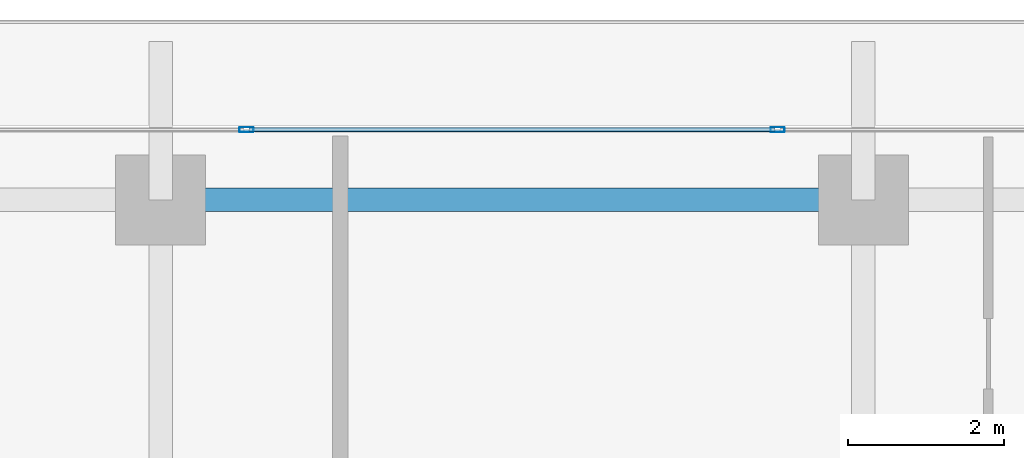
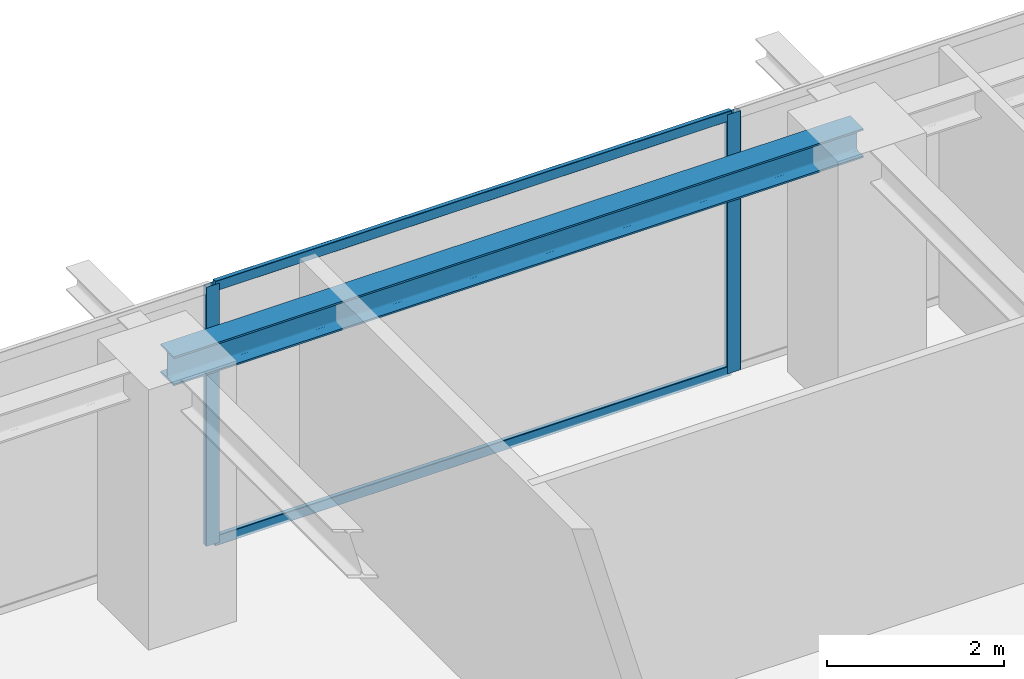
# One storey, part 20 of 36: 4 members, 1 beam, 1 element without a shape of its own.
"""IFC4 building model written with IfcOpenShell, lengths in metres."""

import ifcopenshell
import ifcopenshell.guid

model = None  # the IFC model being written
_history = None  # IfcOwnerHistory: only IFC2X3 demands one
_inside = {}  # id of a spatial element -> (the spatial element, [elements in it])
_under = {}  # id of a project, library or spatial element -> (it, [spatial elements below it])
_declared = {}  # id of a project -> (the project, [libraries it declares])
_typed = {}  # id of a type object -> (the type object, [elements of that type])
_made_of = {}  # id of a material, layer set ... -> (it, [elements and type objects made of it])


def new_model(schema):
    """Start an empty IFC model of exactly this schema.

    Asked for "IFC4X3", IfcOpenShell would pick the latest addendum, in which some entities
    have other attributes; the version numbers below select the first issue.
    IFC2X3 requires an IfcOwnerHistory on every rooted entity: one is made here for all.
    """
    global model, _history
    if schema == "IFC4X3":
        model = ifcopenshell.file(schema_version=(4, 3, 0, 0))
    else:
        model = ifcopenshell.file(schema=schema)
    _inside.clear()
    _under.clear()
    _declared.clear()
    _typed.clear()
    _made_of.clear()
    _history = None
    if model.schema == "IFC2X3":
        org = make("IfcOrganization", Name="unknown")
        user = make(
            "IfcPersonAndOrganization",
            ThePerson=make("IfcPerson", FamilyName="unknown"),
            TheOrganization=org,
        )
        app = make(
            "IfcApplication",
            ApplicationDeveloper=org,
            Version="unknown",
            ApplicationFullName="unknown",
            ApplicationIdentifier="unknown",
        )
        _history = make(
            "IfcOwnerHistory",
            OwningUser=user,
            OwningApplication=app,
            ChangeAction="ADDED",
            CreationDate=0,
        )
    return model


def make(cls, **values):
    """One entity of the class cls with the attributes given. An attribute that is None is left unset."""
    return model.create_entity(
        cls, **{name: value for name, value in values.items() if value is not None}
    )


def rooted(cls, **values):
    """An entity with a GlobalId (a new one), such as an element, a storey or a relation."""
    return make(cls, GlobalId=ifcopenshell.guid.new(), OwnerHistory=_history, **values)


def si_unit(unit_type, name, prefix=None):
    """IfcSIUnit, for example si_unit("LENGTHUNIT", "METRE", prefix="MILLI")."""
    return make("IfcSIUnit", UnitType=unit_type, Prefix=prefix, Name=name)


def assignment(units):
    """IfcUnitAssignment: the units of a project."""
    return None if units is None else make("IfcUnitAssignment", Units=units)


def point(xyz):
    """IfcCartesianPoint."""
    return None if xyz is None else make("IfcCartesianPoint", Coordinates=xyz)


def direction(xyz):
    """IfcDirection."""
    return None if xyz is None else make("IfcDirection", DirectionRatios=xyz)


def frame(location, z_axis=None, x_axis=None):
    """IfcAxis2Placement3D, a coordinate frame: its origin and axes. An axis left out is left unset."""
    return make(
        "IfcAxis2Placement3D",
        Location=point(location),
        Axis=direction(z_axis),
        RefDirection=direction(x_axis),
    )


def frame_2d(location, x_axis=None):
    """IfcAxis2Placement2D, a coordinate frame in the plane: its origin and x axis."""
    return make(
        "IfcAxis2Placement2D", Location=point(location), RefDirection=direction(x_axis)
    )


def origin():
    """The frame at (0, 0, 0) with its axes left unset."""
    return frame((0.0, 0.0, 0.0))


def origin_2d():
    """The frame at (0, 0) in the plane with its x axis left unset."""
    return frame_2d((0.0, 0.0))


def place(relative_to, where):
    """IfcLocalPlacement: puts the frame where relative to a parent placement (None: the world)."""
    return make(
        "IfcLocalPlacement", PlacementRelTo=relative_to, RelativePlacement=where
    )


def context(
    kind, dimensions, precision=None, world=None, true_north=None, identifier=None
):
    """IfcGeometricRepresentationContext, for example the 3D "Model" context."""
    return make(
        "IfcGeometricRepresentationContext",
        ContextIdentifier=identifier,
        ContextType=kind,
        CoordinateSpaceDimension=dimensions,
        Precision=precision,
        WorldCoordinateSystem=world,
        TrueNorth=true_north,
    )


def subcontext(parent, identifier, kind, view, scale=None):
    """IfcGeometricRepresentationSubContext, for example "Body" below "Model"."""
    return make(
        "IfcGeometricRepresentationSubContext",
        ContextIdentifier=identifier,
        ContextType=kind,
        ParentContext=parent,
        TargetScale=scale,
        TargetView=view,
    )


def project(units=None, contexts=None):
    """IfcProject with its units and contexts."""
    return rooted(
        "IfcProject",
        Name="project",
        RepresentationContexts=contexts,
        UnitsInContext=assignment(units),
    )


def spatial(cls, under=None, at=None, **own):
    """A site, building, storey or space (cls), placed at a placement, below another one or the project."""
    s = rooted(cls, ObjectPlacement=at, **own)
    if under is not None:
        _under.setdefault(under.id(), (under, []))[1].append(s)
    return s


def profile(cls, at=None, kind="AREA", **sizes):
    """A parametric profile (cls). Its sizes go by their IFC names, for example OverallWidth=200.0."""
    return make(cls, ProfileType=kind, Position=at, **sizes)


def hollow_rectangle(**sizes):
    """IfcRectangleHollowProfileDef."""
    return profile("IfcRectangleHollowProfileDef", **sizes)


def i_section(**sizes):
    """IfcIShapeProfileDef."""
    return profile("IfcIShapeProfileDef", **sizes)


def extrude(swept, where, along, depth):
    """IfcExtrudedAreaSolid: the profile swept, set in the frame where, extruded along a direction by depth."""
    return make(
        "IfcExtrudedAreaSolid",
        SweptArea=swept,
        Position=where,
        ExtrudedDirection=direction(along),
        Depth=depth,
    )


def shape(context_of_items, identifier, shape_type, items):
    """IfcShapeRepresentation: the items that make up one representation, for example the "Body"."""
    return make(
        "IfcShapeRepresentation",
        ContextOfItems=context_of_items,
        RepresentationIdentifier=identifier,
        RepresentationType=shape_type,
        Items=items,
    )


def source(mapping_origin, context_of_items, identifier, shape_type, items):
    """IfcRepresentationMap: a shape defined once, which mapped items show again and again."""
    return make(
        "IfcRepresentationMap",
        MappingOrigin=mapping_origin,
        MappedRepresentation=shape(context_of_items, identifier, shape_type, items),
    )


def transform(
    local_origin,
    x_axis=None,
    y_axis=None,
    z_axis=None,
    scale=None,
    scale2=None,
    scale3=None,
    uniform=True,
):
    """IfcCartesianTransformationOperator3D, or its non-uniform kind. x_axis, y_axis, z_axis: its Axis1, 2, 3."""
    if uniform:
        return make(
            "IfcCartesianTransformationOperator3D",
            Axis1=direction(x_axis),
            Axis2=direction(y_axis),
            LocalOrigin=point(local_origin),
            Scale=scale,
            Axis3=direction(z_axis),
        )
    return make(
        "IfcCartesianTransformationOperator3DnonUniform",
        Axis1=direction(x_axis),
        Axis2=direction(y_axis),
        LocalOrigin=point(local_origin),
        Scale=scale,
        Axis3=direction(z_axis),
        Scale2=scale2,
        Scale3=scale3,
    )


def mapped(mapping_source, mapping_target):
    """IfcMappedItem: shows the shape of a source again, moved by a transform."""
    return make(
        "IfcMappedItem", MappingSource=mapping_source, MappingTarget=mapping_target
    )


def material(Name=None, Category=None):
    """IfcMaterial."""
    return make("IfcMaterial", Name=Name, Category=Category)


def layer(
    of_material, thickness, ventilated=None, Name=None, Category=None, Priority=None
):
    """IfcMaterialLayer: one layer of a wall or slab, of a material (None: an air gap)."""
    return make(
        "IfcMaterialLayer",
        Material=of_material,
        LayerThickness=thickness,
        IsVentilated=ventilated,
        Name=Name,
        Category=Category,
        Priority=Priority,
    )


def layer_set(layers, Name=None):
    """IfcMaterialLayerSet."""
    return make("IfcMaterialLayerSet", MaterialLayers=layers, LayerSetName=Name)


def material_profile(
    of_material, cross_section, Name=None, Category=None, Priority=None
):
    """IfcMaterialProfile: a cross section and its material."""
    return make(
        "IfcMaterialProfile",
        Name=Name,
        Material=of_material,
        Profile=cross_section,
        Priority=Priority,
        Category=Category,
    )


def profile_set(profiles, Name=None, composite=None):
    """IfcMaterialProfileSet."""
    return make(
        "IfcMaterialProfileSet",
        Name=Name,
        MaterialProfiles=profiles,
        CompositeProfile=composite,
    )


def made_of(thing, what):
    """Note that an element or type object is made of a material, layer set ...; save() writes the relation."""
    if what is not None:
        _made_of.setdefault(what.id(), (what, []))[1].append(thing)
    return thing


def type_object(cls, material=None, **own):
    """A type object (cls), such as IfcWallType, which elements share."""
    return made_of(rooted(cls, **own), material)


def element(
    cls,
    number,
    at=None,
    inside=None,
    cuts=None,
    type_object=None,
    material=None,
    context=None,
    identifier="Body",
    shape_type=None,
    held_by="IfcProductDefinitionShape",
    body=None,
    shapes=None,
    **own,
):
    """One element of the class cls, such as IfcWall. Its Tag is "e" and its number.

    at: its placement. inside: the storey or other place that contains it. cuts: it is an
    opening in that element (IfcRelVoidsElement). A single representation is given by context,
    identifier, shape_type and body (its items); several are given by shapes. held_by: the class
    of the entity that holds the representations. save() writes the other relations.
    """
    e = rooted(cls, Tag="e%d" % number, ObjectPlacement=at, **own)
    if body is not None:
        shapes = [shape(context, identifier, shape_type, body)]
    if shapes is not None:
        e.Representation = make(held_by, Representations=shapes)
    if inside is not None:
        _inside.setdefault(inside.id(), (inside, []))[1].append(e)
    if cuts is not None:
        rooted(
            "IfcRelVoidsElement", RelatingBuildingElement=cuts, RelatedOpeningElement=e
        )
    if type_object is not None:
        _typed.setdefault(type_object.id(), (type_object, []))[1].append(e)
    return made_of(e, material)


def aggregate(whole, parts):
    """IfcRelAggregates: a whole, such as a stair, and the parts it consists of."""
    return rooted("IfcRelAggregates", RelatingObject=whole, RelatedObjects=parts)


def save(model, path):
    """Write the relations noted so far, then the file.

    IfcRelAggregates (storeys below a building ...), IfcRelContainedInSpatialStructure (elements
    in a storey), IfcRelDefinesByType, IfcRelAssociatesMaterial and IfcRelDeclares: one each for
    every whole, place, type object, material and project.
    """
    for whole, parts in _under.values():
        aggregate(whole, parts)
    for where, things in _inside.values():
        rooted(
            "IfcRelContainedInSpatialStructure",
            RelatedElements=things,
            RelatingStructure=where,
        )
    for kind, things in _typed.values():
        rooted("IfcRelDefinesByType", RelatedObjects=things, RelatingType=kind)
    for what, things in _made_of.values():
        rooted("IfcRelAssociatesMaterial", RelatedObjects=things, RelatingMaterial=what)
    for by, libraries in _declared.values():
        rooted("IfcRelDeclares", RelatingContext=by, RelatedDefinitions=libraries)
    model.write(path)


model = new_model("IFC4")

# Units and contexts
model_context = context("Model", 3, precision=1e-05, world=origin(), true_north=direction((0.0, 1.0)))
body_context = subcontext(model_context, "Body", "Model", "MODEL_VIEW")
ifc_project = project(units=[si_unit("LENGTHUNIT", "METRE"), si_unit("AREAUNIT", "SQUARE_METRE"), si_unit("VOLUMEUNIT", "CUBIC_METRE"), si_unit("PLANEANGLEUNIT", "RADIAN"), si_unit("MASSUNIT", "GRAM", prefix="KILO")], contexts=[model_context])

# Site, building, storey
site_placement = place(None, origin())
site = spatial("IfcSite", under=ifc_project, at=site_placement, CompositionType="ELEMENT")
building_placement = place(site_placement, origin())
building = spatial("IfcBuilding", under=site, at=building_placement, Name="Serunith Strait Residences", CompositionType="ELEMENT")
storey_placement = place(building_placement, frame((0.0, 0.0, 256.64990234375)))
storey = spatial("IfcBuildingStorey", under=building, at=storey_placement, Name="L64", CompositionType="ELEMENT", Elevation=256.64990234375)

# Beam
ifc_material_1 = material(Name="Steel S355J2", Category="steel")
ifc_material_profile_1 = material_profile(ifc_material_1, i_section(OverallWidth=0.300048828125, OverallDepth=0.39990234375, WebThickness=0.013427734375, FlangeThickness=0.02392578125, FilletRadius=0.027099609375, at=origin_2d()), Name="HEB 400")
ifc_profile_set_1 = profile_set([ifc_material_profile_1], Name="Steel S355J2")
beam_type = type_object("IfcBeamType", Name="BM-HEB400", PredefinedType="BEAM", material=ifc_profile_set_1)
shared_shape_1 = source(origin(), body_context, "Body", "SweptSolid", [
    extrude(i_section(OverallWidth=0.300048828125, OverallDepth=0.39990234375, WebThickness=0.013427734375, FlangeThickness=0.02392578125, FilletRadius=0.027099609375, at=origin_2d()), origin(), (0.0, 0.0, 1.0), 9.0),
])
beam_placement = place(storey_placement, frame((36.89990234375, 48.300048828125, 3.38720703125), z_axis=(-1.0, 0.0, 0.0), x_axis=(0.0, -1.0, 0.0)))
element("IfcBeam", 1, at=beam_placement, inside=storey, type_object=beam_type, Name="L64 Perimeter Ring Beam 10", PredefinedType="BEAM", context=body_context, shape_type="MappedRepresentation", body=[
    mapped(shared_shape_1, transform((0.0, 0.0, 0.0), scale=1.0)),
])

# Curtain wall, members
ifc_material_2 = material(Name="Pale-Champagne Anodised Aluminium", Category="aluminium")
ifc_layer = layer(ifc_material_2, 0.199951171875, Name="Pale-Champagne Anodised Aluminium")
ifc_layer_set = layer_set([ifc_layer], Name="Pale-Champagne Anodised Aluminium")
curtain_wall_type = type_object("IfcCurtainWallType", Name="CW-SYS4", PredefinedType="NOTDEFINED", material=ifc_layer_set)
curtain_wall_placement = place(storey_placement, origin())
curtain_wall = element("IfcCurtainWall", 2, at=curtain_wall_placement, inside=storey, type_object=curtain_wall_type, Name="L64 N Unitised Fritted Curtain Wall", PredefinedType="NOTDEFINED")
ifc_material_profile_2 = material_profile(ifc_material_2, hollow_rectangle(XDim=0.06005859375, YDim=0.139892578125, WallThickness=0.00341796875, InnerFilletRadius=0.00537109375, OuterFilletRadius=0.0087890625, at=origin_2d()), Name="ALU 140x60x3.5")
ifc_profile_set_2 = profile_set([ifc_material_profile_2], Name="Pale-Champagne Anodised Aluminium")
member_type_1 = type_object("IfcMemberType", Name="CW-SYS4-TRAN", PredefinedType="USERDEFINED", material=ifc_profile_set_2)
shared_shape_2 = source(origin(), body_context, "Body", "SweptSolid", [
    extrude(hollow_rectangle(XDim=0.06005859375, YDim=0.139892578125, WallThickness=0.00341796875, InnerFilletRadius=0.00537109375, OuterFilletRadius=0.0087890625, at=origin_2d()), origin(), (0.0, 0.0, 1.0), 6.735107421875),
])
member_1_placement = place(storey_placement, frame((35.767578125, 49.199951171875, 0.030029296875), z_axis=(-1.0, 0.0, 0.0), x_axis=(0.0, -1.0, 0.0)))
member_1 = element("IfcMember", 3, at=member_1_placement, type_object=member_type_1, Name="CW-4 transom 3.1", ObjectType="TRANSOM", PredefinedType="USERDEFINED", context=body_context, shape_type="MappedRepresentation", body=[
    mapped(shared_shape_2, transform((0.0, 0.0, 0.0), scale=1.0)),
])
member_2_placement = place(storey_placement, frame((35.767578125, 49.199951171875, 3.545166015625), z_axis=(-1.0, 0.0, 0.0), x_axis=(0.0, -1.0, 0.0)))
member_2 = element("IfcMember", 4, at=member_2_placement, type_object=member_type_1, Name="CW-4 transom 3.2", ObjectType="TRANSOM", PredefinedType="USERDEFINED", context=body_context, shape_type="MappedRepresentation", body=[
    mapped(shared_shape_2, transform((0.0, 0.0, 0.0), scale=1.0)),
])
ifc_material_profile_3 = material_profile(ifc_material_2, hollow_rectangle(XDim=0.06494140625, YDim=0.179931640625, WallThickness=0.00341796875, InnerFilletRadius=0.00537109375, OuterFilletRadius=0.0087890625, at=origin_2d()), Name="ALU 180x65x3.5")
ifc_profile_set_3 = profile_set([ifc_material_profile_3], Name="Pale-Champagne Anodised Aluminium")
member_type_2 = type_object("IfcMemberType", Name="CW-SYS4-MULL", PredefinedType="MULLION", material=ifc_profile_set_3)
shared_shape_3 = source(origin(), body_context, "Body", "SweptSolid", [
    extrude(hollow_rectangle(XDim=0.06494140625, YDim=0.179931640625, WallThickness=0.00341796875, InnerFilletRadius=0.00537109375, OuterFilletRadius=0.0087890625, at=origin_2d()), origin(), (0.0, 0.0, 1.0), 3.5751953125),
])
member_3_placement = place(storey_placement, frame((35.800048828125, 49.199951171875, 0.0), z_axis=(0.0, 0.0, 1.0), x_axis=(0.0, -1.0, 0.0)))
member_3 = element("IfcMember", 5, at=member_3_placement, type_object=member_type_2, Name="CW-4 mullion 3", PredefinedType="MULLION", context=body_context, shape_type="MappedRepresentation", body=[
    mapped(shared_shape_3, transform((0.0, 0.0, 0.0), scale=1.0)),
])
member_4_placement = place(storey_placement, frame((29.0, 49.199951171875, 0.0), z_axis=(0.0, 0.0, 1.0), x_axis=(0.0, -1.0, 0.0)))
member_4 = element("IfcMember", 6, at=member_4_placement, type_object=member_type_2, Name="CW-4 mullion 4", PredefinedType="MULLION", context=body_context, shape_type="MappedRepresentation", body=[
    mapped(shared_shape_3, transform((0.0, 0.0, 0.0), scale=1.0)),
])
aggregate(curtain_wall, [member_3, member_4, member_1, member_2])

save(model, "model.ifc")
